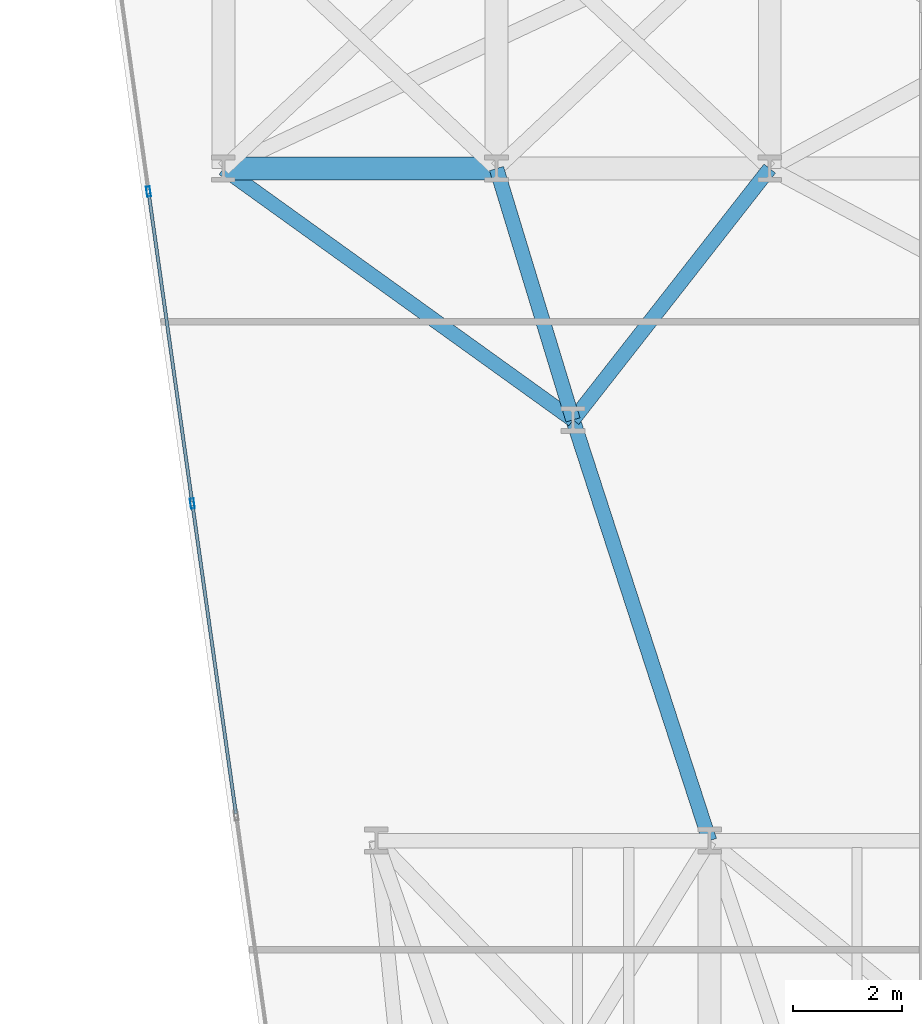
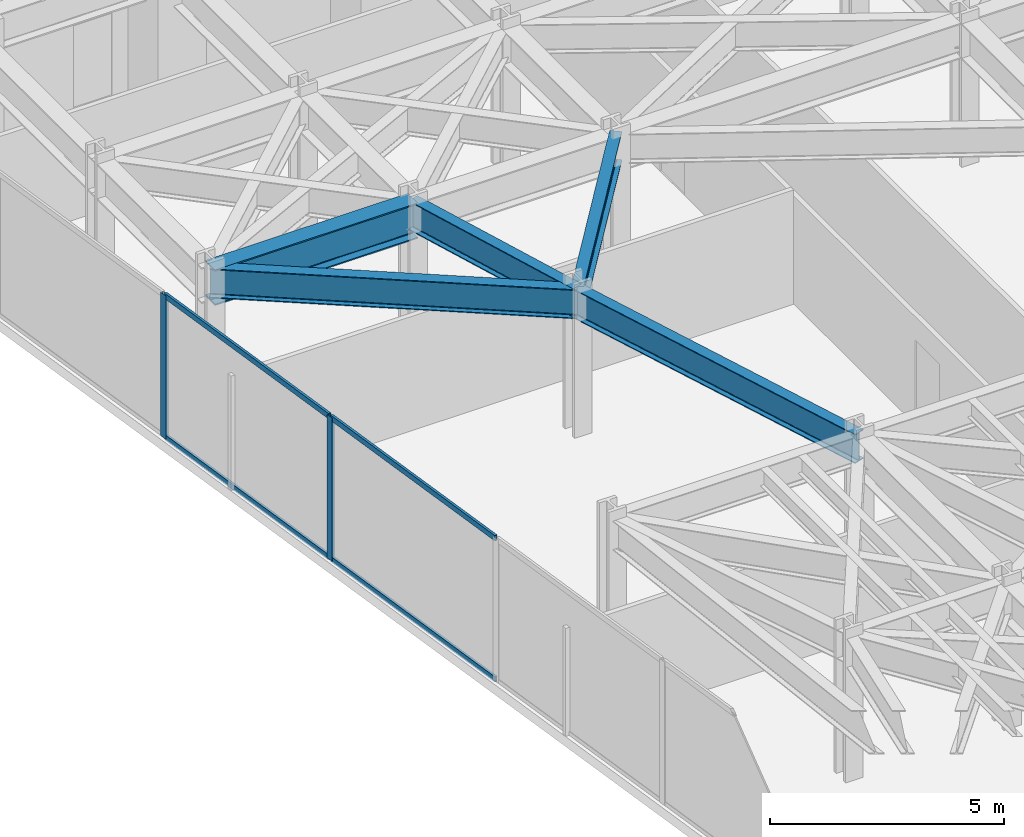
# One storey, part 7 of 24: 6 members, 5 beams, 1 element without a shape of its own.
"""IFC4 building model written with IfcOpenShell, lengths in metres."""

from ifc_helpers import new_model, si_unit, direction, frame, origin, origin_2d, place, context, subcontext, project, spatial, hollow_rectangle, i_section, extrude, material, layer, layer_set, material_profile, profile_set, type_object, element, aggregate, save


model = new_model("IFC4")

# Units and contexts
model_context = context("Model", 3, precision=1e-05, world=origin(), true_north=direction((0.0, 1.0)))
body_context = subcontext(model_context, "Body", "Model", "MODEL_VIEW")
ifc_project = project(units=[si_unit("LENGTHUNIT", "METRE"), si_unit("AREAUNIT", "SQUARE_METRE"), si_unit("VOLUMEUNIT", "CUBIC_METRE"), si_unit("PLANEANGLEUNIT", "RADIAN"), si_unit("MASSUNIT", "GRAM", prefix="KILO")], contexts=[model_context])

# Site, building, storey
site_placement = place(None, origin())
site = spatial("IfcSite", under=ifc_project, at=site_placement, CompositionType="ELEMENT")
building_placement = place(site_placement, origin())
building = spatial("IfcBuilding", under=site, at=building_placement, Name="Kravanh Interchange Tower", CompositionType="ELEMENT")
storey_placement = place(building_placement, frame((0.0, 0.0, 69.5)))
storey = spatial("IfcBuildingStorey", under=building, at=storey_placement, Name="L16", CompositionType="ELEMENT", Elevation=69.5)

# Curtain wall, members
ifc_material_1 = material(Name="Anodised Bronze Aluminium", Category="aluminium")
ifc_layer = layer(ifc_material_1, 0.179931640625)
ifc_layer_set = layer_set([ifc_layer], Name="Unitised Curtain Wall System CW-Z1 Lower Office")
curtain_wall_type = type_object("IfcCurtainWallType", Name="Unitised Curtain Wall System CW-Z1 Lower Office", PredefinedType="NOTDEFINED", material=ifc_layer_set)
curtain_wall_placement = place(storey_placement, origin())
curtain_wall = element("IfcCurtainWall", 1, at=curtain_wall_placement, inside=storey, type_object=curtain_wall_type, Name="L16 Unitised Curtain Wall CW-L16-01", PredefinedType="NOTDEFINED")
ifc_material_2 = material(Name="Anodised Bronze Aluminium", Category="aluminium")
ifc_material_profile_1 = material_profile(ifc_material_2, hollow_rectangle(XDim=0.070068359375, YDim=0.179931640625, WallThickness=0.00390625, at=origin_2d()), Name="ALU70X180X4")
ifc_profile_set_1 = profile_set([ifc_material_profile_1], Name="Anodised Bronze Aluminium")
member_type_1 = type_object("IfcMemberType", Name="Curtain Wall Mullion ALU70X180X4 Bronze", PredefinedType="MULLION", material=ifc_profile_set_1)
member_1_placement = place(storey_placement, frame((8.03271484375, 20.66845703125, 0.0), z_axis=(0.0, 0.0, 1.0), x_axis=(-0.990267585682, -0.139176538065, 0.0)))
member_1 = element("IfcMember", 2, at=member_1_placement, type_object=member_type_1, Name="CW-Z1 mullion 4", PredefinedType="MULLION", context=body_context, shape_type="SweptSolid", body=[
    extrude(hollow_rectangle(XDim=0.070068359375, YDim=0.179931640625, WallThickness=0.00390625, at=origin_2d()), origin(), (0.0, 0.0, 1.0), 3.739990234375),
])
member_2_placement = place(storey_placement, frame((7.22998046875, 26.37890625, 0.0), z_axis=(0.0, 0.0, 1.0), x_axis=(-0.990267585682, -0.139176538065, 0.0)))
member_2 = element("IfcMember", 3, at=member_2_placement, type_object=member_type_1, Name="CW-Z1 mullion 5", PredefinedType="MULLION", context=body_context, shape_type="SweptSolid", body=[
    extrude(hollow_rectangle(XDim=0.070068359375, YDim=0.179931640625, WallThickness=0.00390625, at=origin_2d()), origin(), (0.0, 0.0, 1.0), 3.739990234375),
])
ifc_material_3 = material(Name="Anodised Bronze Aluminium", Category="aluminium")
ifc_material_profile_2 = material_profile(ifc_material_3, hollow_rectangle(XDim=0.06005859375, YDim=0.139892578125, WallThickness=0.00390625, at=origin_2d()), Name="ALU60X140X4")
ifc_profile_set_2 = profile_set([ifc_material_profile_2], Name="Anodised Bronze Aluminium")
member_type_2 = type_object("IfcMemberType", Name="Curtain Wall Transom ALU60X140X4 Bronze", PredefinedType="USERDEFINED", material=ifc_profile_set_2)
member_3_placement = place(storey_placement, frame((8.830322265625, 14.992431640625, 0.030029296875), z_axis=(-0.139153051789, 0.990270886262, 0.0), x_axis=(-0.990270886262, -0.139153051789, 0.0)))
member_3 = element("IfcMember", 4, at=member_3_placement, type_object=member_type_2, Name="CW-Z1 transom 3.1", ObjectType="TRANSOM", PredefinedType="USERDEFINED", context=body_context, shape_type="SweptSolid", body=[
    extrude(hollow_rectangle(XDim=0.06005859375, YDim=0.139892578125, WallThickness=0.00390625, at=origin_2d()), origin(), (0.0, 0.0, 1.0), 5.69677734375),
])
member_4_placement = place(storey_placement, frame((8.830322265625, 14.992431640625, 3.7099609375), z_axis=(-0.139153051789, 0.990270886262, 0.0), x_axis=(-0.990270886262, -0.139153051789, 0.0)))
member_4 = element("IfcMember", 5, at=member_4_placement, type_object=member_type_2, Name="CW-Z1 transom 3.2", ObjectType="TRANSOM", PredefinedType="USERDEFINED", context=body_context, shape_type="SweptSolid", body=[
    extrude(hollow_rectangle(XDim=0.06005859375, YDim=0.139892578125, WallThickness=0.00390625, at=origin_2d()), origin(), (0.0, 0.0, 1.0), 5.69677734375),
])
member_5_placement = place(storey_placement, frame((8.02783203125, 20.703125, 0.030029296875), z_axis=(-0.139200984921, 0.990264149506, 0.0), x_axis=(-0.990264149506, -0.139200984921, 0.0)))
member_5 = element("IfcMember", 6, at=member_5_placement, type_object=member_type_2, Name="CW-Z1 transom 4.1", ObjectType="TRANSOM", PredefinedType="USERDEFINED", context=body_context, shape_type="SweptSolid", body=[
    extrude(hollow_rectangle(XDim=0.06005859375, YDim=0.139892578125, WallThickness=0.00390625, at=origin_2d()), origin(), (0.0, 0.0, 1.0), 5.696533203125),
])
member_6_placement = place(storey_placement, frame((8.02783203125, 20.703125, 3.7099609375), z_axis=(-0.139200984921, 0.990264149506, 0.0), x_axis=(-0.990264149506, -0.139200984921, 0.0)))
member_6 = element("IfcMember", 7, at=member_6_placement, type_object=member_type_2, Name="CW-Z1 transom 4.2", ObjectType="TRANSOM", PredefinedType="USERDEFINED", context=body_context, shape_type="SweptSolid", body=[
    extrude(hollow_rectangle(XDim=0.06005859375, YDim=0.139892578125, WallThickness=0.00390625, at=origin_2d()), origin(), (0.0, 0.0, 1.0), 5.696533203125),
])
aggregate(curtain_wall, [member_1, member_2, member_3, member_4, member_5, member_6])

# Beams
ifc_material_4 = material(Name="Structural Steel S355", Category="steel")
ifc_material_profile_3 = material_profile(ifc_material_4, i_section(OverallWidth=0.41796875, OverallDepth=0.927001953125, WebThickness=0.019287109375, FlangeThickness=0.031982421875, FilletRadius=0.028076171875, at=origin_2d()), Name="W36X231")
ifc_profile_set_3 = profile_set([ifc_material_profile_3], Name="Structural Steel S355")
beam_type_1 = type_object("IfcBeamType", Name="Floor Beam W36X231 Structural Steel S355", PredefinedType="BEAM", material=ifc_profile_set_3)
beam_1_placement = place(storey_placement, frame((8.60009765625, 26.800048828125, 3.276611328125), z_axis=(1.0, 0.0, 0.0), x_axis=(0.0, 1.0, 0.0)))
element("IfcBeam", 8, at=beam_1_placement, inside=storey, type_object=beam_type_1, Name="L16 Primary Floor Girder 67", PredefinedType="BEAM", context=body_context, shape_type="SweptSolid", body=[
    extrude(i_section(OverallWidth=0.41796875, OverallDepth=0.927001953125, WebThickness=0.019287109375, FlangeThickness=0.031982421875, FilletRadius=0.028076171875, at=origin_2d()), origin(), (0.0, 0.0, 1.0), 5.0),
])
ifc_material_5 = material(Name="Structural Steel S355", Category="steel")
ifc_material_profile_4 = material_profile(ifc_material_5, i_section(OverallWidth=0.26708984375, OverallDepth=0.761962890625, WebThickness=0.014404296875, FlangeThickness=0.021484375, FilletRadius=0.02490234375, at=origin_2d()), Name="W30X116")
ifc_profile_set_4 = profile_set([ifc_material_profile_4], Name="Structural Steel S355")
beam_type_2 = type_object("IfcBeamType", Name="Floor Spandrel W30X116 Structural Steel S355", PredefinedType="SPANDREL", material=ifc_profile_set_4)
beam_2_placement = place(storey_placement, frame((15.0, 22.199951171875, 3.35888671875), z_axis=(-0.291137370727, 0.956681259023, 0.0), x_axis=(-0.956681259023, -0.291137370727, 0.0)))
element("IfcBeam", 9, at=beam_2_placement, inside=storey, type_object=beam_type_2, Name="L16 Perimeter Spandrel 50", PredefinedType="SPANDREL", context=body_context, shape_type="SweptSolid", body=[
    extrude(i_section(OverallWidth=0.26708984375, OverallDepth=0.761962890625, WebThickness=0.014404296875, FlangeThickness=0.021484375, FilletRadius=0.02490234375, at=origin_2d()), origin(), (0.0, 0.0, 1.0), 4.808349609375),
])
beam_3_placement = place(storey_placement, frame((15.0, 22.199951171875, 3.35888671875), z_axis=(0.616310515553, 0.787503237085, 0.0), x_axis=(-0.787503237085, 0.616310515553, 0.0)))
element("IfcBeam", 10, at=beam_3_placement, inside=storey, type_object=beam_type_2, Name="L16 Perimeter Spandrel 51", PredefinedType="SPANDREL", context=body_context, shape_type="SweptSolid", body=[
    extrude(i_section(OverallWidth=0.26708984375, OverallDepth=0.761962890625, WebThickness=0.014404296875, FlangeThickness=0.021484375, FilletRadius=0.02490234375, at=origin_2d()), origin(), (0.0, 0.0, 1.0), 5.84130859375),
])
beam_4_placement = place(storey_placement, frame((15.0, 22.199951171875, 3.35888671875), z_axis=(-0.812005278585, 0.583650089994, 0.0), x_axis=(-0.583650089994, -0.812005278585, 0.0)))
element("IfcBeam", 11, at=beam_4_placement, inside=storey, type_object=beam_type_2, Name="L16 Perimeter Spandrel 52", PredefinedType="SPANDREL", context=body_context, shape_type="SweptSolid", body=[
    extrude(i_section(OverallWidth=0.26708984375, OverallDepth=0.761962890625, WebThickness=0.014404296875, FlangeThickness=0.021484375, FilletRadius=0.02490234375, at=origin_2d()), origin(), (0.0, 0.0, 1.0), 7.881591796875),
])
beam_5_placement = place(storey_placement, frame((15.0, 22.199951171875, 3.35888671875), z_axis=(0.30880852537, -0.951124226723, 0.0), x_axis=(0.951124226723, 0.30880852537, 0.0)))
element("IfcBeam", 12, at=beam_5_placement, inside=storey, type_object=beam_type_2, Name="L16 Perimeter Spandrel 53", PredefinedType="SPANDREL", context=body_context, shape_type="SweptSolid", body=[
    extrude(i_section(OverallWidth=0.26708984375, OverallDepth=0.761962890625, WebThickness=0.014404296875, FlangeThickness=0.021484375, FilletRadius=0.02490234375, at=origin_2d()), origin(), (0.0, 0.0, 1.0), 8.095703125),
])

save(model, "model.ifc")
